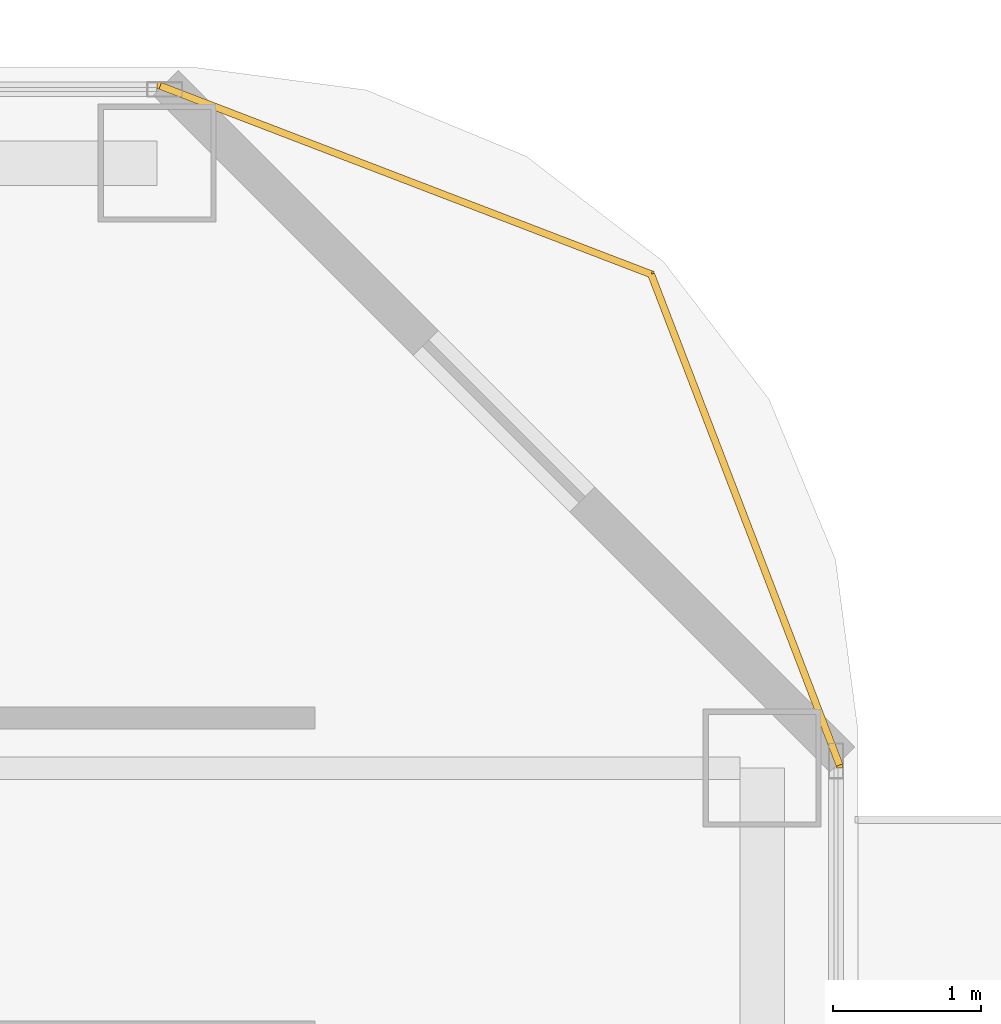
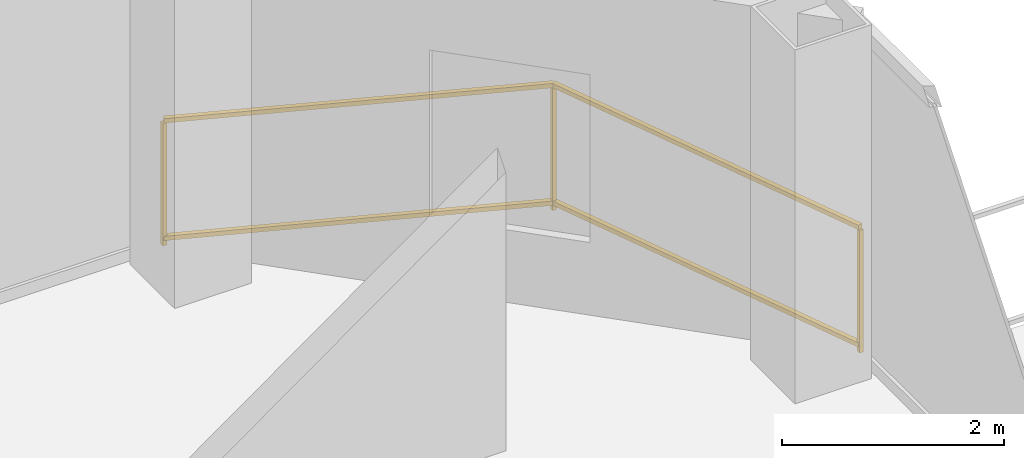
# One storey, part 30 of 30: 1 railing.
"""IFC4 building model written with IfcOpenShell, lengths in metres."""

from ifc_helpers import new_model, si_unit, direction, frame, origin, origin_2d, place, context, subcontext, project, spatial, rectangle, extrude, material, type_object, element, save


model = new_model("IFC4")

# Units and contexts
model_context = context("Model", 3, precision=1e-05, world=origin(), true_north=direction((0.0, 1.0)))
body_context = subcontext(model_context, "Body", "Model", "MODEL_VIEW")
ifc_project = project(units=[si_unit("LENGTHUNIT", "METRE"), si_unit("AREAUNIT", "SQUARE_METRE"), si_unit("VOLUMEUNIT", "CUBIC_METRE"), si_unit("PLANEANGLEUNIT", "RADIAN"), si_unit("MASSUNIT", "GRAM", prefix="KILO")], contexts=[model_context])

# Site, building, storey
site_placement = place(None, origin())
site = spatial("IfcSite", under=ifc_project, at=site_placement, CompositionType="ELEMENT")
building_placement = place(site_placement, origin())
building = spatial("IfcBuilding", under=site, at=building_placement, Name="Khorvyn Point Tower", CompositionType="ELEMENT")
storey_placement = place(building_placement, frame((0.0, 0.0, 57.89990234375)))
storey = spatial("IfcBuildingStorey", under=building, at=storey_placement, Name="L15", CompositionType="ELEMENT", Elevation=57.89990234375)

# Railing
ifc_material = material(Name="Anodised aluminium 6063-T6 and laminated safety glass", Category="aluminium")
railing_type = type_object("IfcRailingType", Name="Laminated Glass and Aluminium Balcony Guardrail 1400", PredefinedType="BALUSTRADE", material=ifc_material)
railing_placement = place(storey_placement, frame((22.174072265625, 20.470703125, 0.0)))
element("IfcRailing", 1, at=railing_placement, inside=storey, type_object=railing_type, Name="L15 Rounded Corner Edge Guardrail NE", PredefinedType="BALUSTRADE", context=body_context, shape_type="SweptSolid", body=[
    extrude(rectangle(XDim=0.048095703125, YDim=0.048095703125, at=origin_2d()), frame((0.0, 0.0, 1.3759765625), z_axis=(-0.358359142172, 0.933583807283, 0.0), x_axis=(-0.933583807283, -0.358359142172, 0.0)), (0.0, 0.0, 1.0), 3.56298828125),
    extrude(rectangle(XDim=0.048095703125, YDim=0.048095703125, at=origin_2d()), frame((0.0, 0.0, 0.080078125), z_axis=(-0.358359142172, 0.933583807283, 0.0), x_axis=(-0.933583807283, -0.358359142172, 0.0)), (0.0, 0.0, 1.0), 3.56298828125),
    extrude(rectangle(XDim=0.048095703125, YDim=0.048095703125, at=origin_2d()), frame((-1.27685546875, 3.326416015625, 1.3759765625), z_axis=(-0.933583807283, 0.358359142172, 0.0), x_axis=(-0.358359142172, -0.933583807283, 0.0)), (0.0, 0.0, 1.0), 3.56298828125),
    extrude(rectangle(XDim=0.048095703125, YDim=0.048095703125, at=origin_2d()), frame((-1.27685546875, 3.326416015625, 0.080078125), z_axis=(-0.933583807283, 0.358359142172, 0.0), x_axis=(-0.358359142172, -0.933583807283, 0.0)), (0.0, 0.0, 1.0), 3.56298828125),
    extrude(rectangle(XDim=0.0419921875, YDim=0.0419921875, at=origin_2d()), origin(), (0.0, 0.0, 1.0), 1.351806640625),
    extrude(rectangle(XDim=0.0419921875, YDim=0.0419921875, at=origin_2d()), frame((-1.27685546875, 3.326416015625, 0.0)), (0.0, 0.0, 1.0), 1.351806640625),
    extrude(rectangle(XDim=0.0419921875, YDim=0.0419921875, at=origin_2d()), frame((-4.603271484375, 4.603271484375, 0.0)), (0.0, 0.0, 1.0), 1.351806640625),
])

save(model, "model.ifc")
